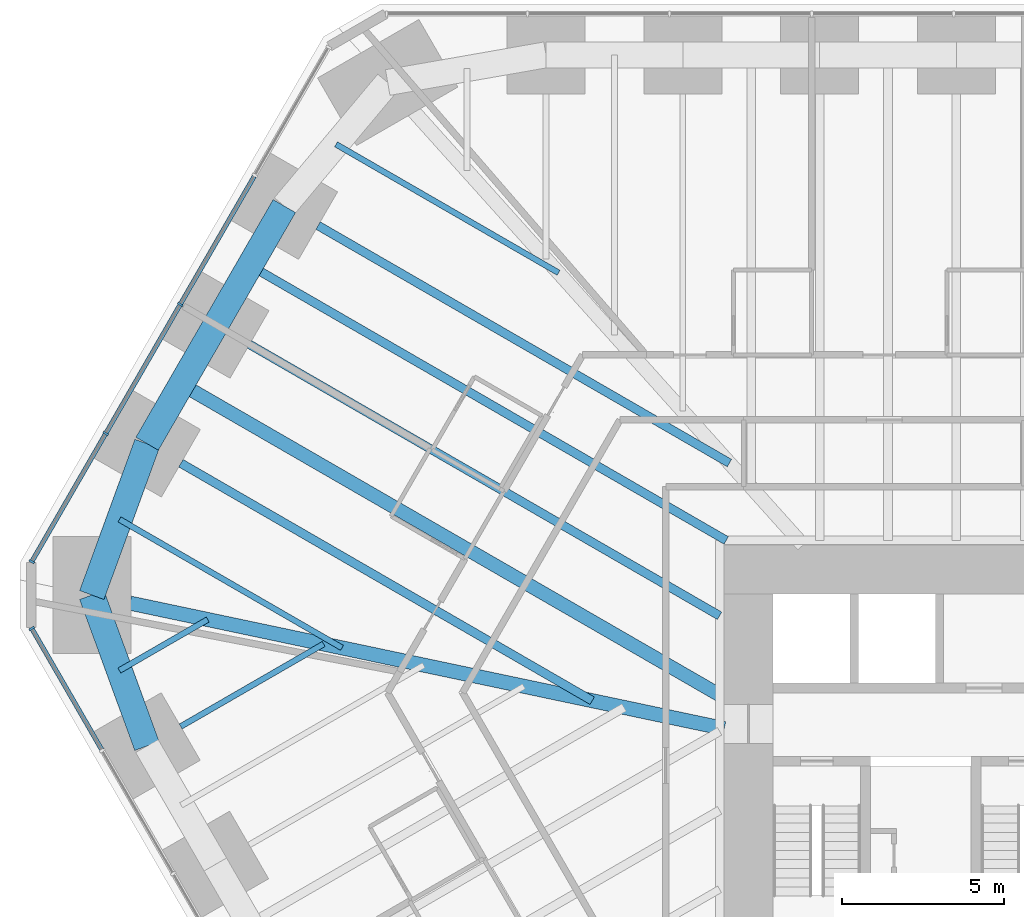
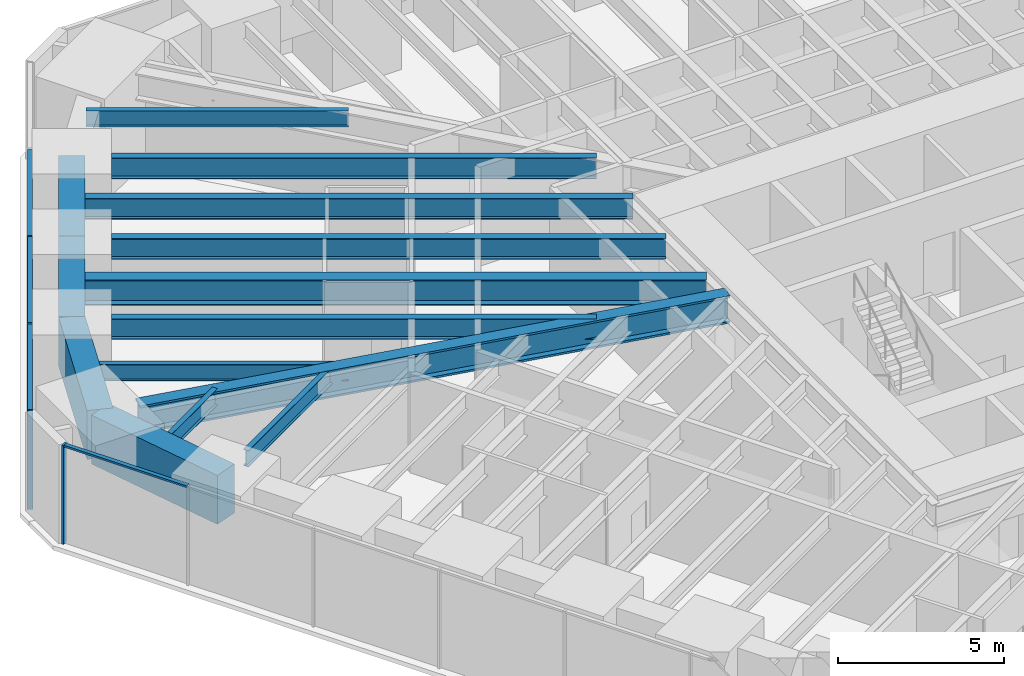
# One storey, part 7 of 17: 14 beams, 8 members, 2 elements without a shape of their own.
"""IFC4 building model written with IfcOpenShell, lengths in metres."""

from ifc_helpers import new_model, si_unit, direction, frame, origin, origin_2d, place, context, subcontext, project, spatial, rectangle, i_section, extrude, material, material_profile, profile_set, type_object, element, aggregate, save


model = new_model("IFC4")

# Units and contexts
model_context = context("Model", 3, precision=1e-05, world=origin(), true_north=direction((0.0, 1.0)))
body_context = subcontext(model_context, "Body", "Model", "MODEL_VIEW")
ifc_project = project(units=[si_unit("LENGTHUNIT", "METRE"), si_unit("AREAUNIT", "SQUARE_METRE"), si_unit("VOLUMEUNIT", "CUBIC_METRE"), si_unit("PLANEANGLEUNIT", "RADIAN"), si_unit("MASSUNIT", "GRAM", prefix="KILO")], contexts=[model_context])

# Site, building, storey
site_placement = place(None, origin())
site = spatial("IfcSite", under=ifc_project, at=site_placement, CompositionType="ELEMENT")
building_placement = place(site_placement, origin())
building = spatial("IfcBuilding", under=site, at=building_placement, Name="Sandreach Pilgrim Tower", CompositionType="ELEMENT")
storey_placement = place(building_placement, frame((0.0, 0.0, 45.800048828125)))
storey = spatial("IfcBuildingStorey", under=building, at=storey_placement, Name="L10", CompositionType="ELEMENT", Elevation=45.800048828125)

# Curtain wall, member
ifc_material_1 = material(Name="Aluminium framed curtain wall", Category="aluminium")
curtain_wall_type = type_object("IfcCurtainWallType", Name="Hostel tower curtain wall", PredefinedType="NOTDEFINED", material=ifc_material_1)
curtain_wall_1_placement = place(storey_placement, origin())
curtain_wall_1 = element("IfcCurtainWall", 1, at=curtain_wall_1_placement, inside=storey, type_object=curtain_wall_type, Name="CW-1 L10 SW", PredefinedType="NOTDEFINED")
ifc_material_2 = material(Name="Aluminium extrusion", Category="aluminium")
ifc_material_profile_1 = material_profile(ifc_material_2, rectangle(XDim=0.06494140625, YDim=0.179931640625, at=origin_2d()), Name="CW-1M 65X180")
ifc_profile_set_1 = profile_set([ifc_material_profile_1], Name="Aluminium extrusion")
member_type_1 = type_object("IfcMemberType", Name="CW-1 mullion", PredefinedType="MULLION", material=ifc_profile_set_1)
member_1_placement = place(storey_placement, frame((-30.56005859375, 5.033935546875, 0.0), z_axis=(0.0, 0.0, 1.0), x_axis=(-0.5, 0.866025403784, 0.0)))
member_1 = element("IfcMember", 2, at=member_1_placement, type_object=member_type_1, Name="CW-1 mullion 10", PredefinedType="MULLION", context=body_context, shape_type="SweptSolid", body=[
    extrude(rectangle(XDim=0.06494140625, YDim=0.179931640625, at=origin_2d()), origin(), (0.0, 0.0, 1.0), 3.639892578125),
])

# Curtain wall, members
curtain_wall_2_placement = place(storey_placement, origin())
curtain_wall_2 = element("IfcCurtainWall", 3, at=curtain_wall_2_placement, inside=storey, type_object=curtain_wall_type, Name="CW-1 L10 NW", PredefinedType="NOTDEFINED")
member_2_placement = place(storey_placement, frame((-30.56005859375, 7.09033203125, 0.0), z_axis=(0.0, 0.0, 1.0), x_axis=(0.5, 0.866025403784, 0.0)))
member_2 = element("IfcMember", 4, at=member_2_placement, type_object=member_type_1, Name="CW-1 mullion 1", PredefinedType="MULLION", context=body_context, shape_type="SweptSolid", body=[
    extrude(rectangle(XDim=0.06494140625, YDim=0.179931640625, at=origin_2d()), origin(), (0.0, 0.0, 1.0), 3.639892578125),
])
member_3_placement = place(storey_placement, frame((-28.283203125, 11.03369140625, 0.0), z_axis=(0.0, 0.0, 1.0), x_axis=(0.5, 0.866025403784, 0.0)))
member_3 = element("IfcMember", 5, at=member_3_placement, type_object=member_type_1, Name="CW-1 mullion 2", PredefinedType="MULLION", context=body_context, shape_type="SweptSolid", body=[
    extrude(rectangle(XDim=0.06494140625, YDim=0.179931640625, at=origin_2d()), origin(), (0.0, 0.0, 1.0), 3.639892578125),
])
member_4_placement = place(storey_placement, frame((-25.990234375, 15.00537109375, 0.0), z_axis=(0.0, 0.0, 1.0), x_axis=(0.5, 0.866025403784, 0.0)))
member_4 = element("IfcMember", 6, at=member_4_placement, type_object=member_type_1, Name="CW-1 mullion 3", PredefinedType="MULLION", context=body_context, shape_type="SweptSolid", body=[
    extrude(rectangle(XDim=0.06494140625, YDim=0.179931640625, at=origin_2d()), origin(), (0.0, 0.0, 1.0), 3.639892578125),
])

# Member
ifc_material_3 = material(Name="Aluminium extrusion", Category="aluminium")
ifc_material_profile_2 = material_profile(ifc_material_3, rectangle(XDim=0.139892578125, YDim=0.070068359375, at=origin_2d()), Name="CW-1T 140X70")
ifc_profile_set_2 = profile_set([ifc_material_profile_2], Name="Aluminium extrusion")
member_type_2 = type_object("IfcMemberType", Name="CW-1 transom", PredefinedType="USERDEFINED", material=ifc_profile_set_2)
member_5_placement = place(storey_placement, frame((-28.40673828125, 1.304443359375, 3.60498046875), z_axis=(-0.499991113271, 0.866030534479, 0.0), x_axis=(-0.866030534479, -0.499991113271, 0.0)))
member_5 = element("IfcMember", 7, at=member_5_placement, type_object=member_type_2, Name="CW-1 head transom 9", ObjectType="TRANSOM", PredefinedType="USERDEFINED", context=body_context, shape_type="SweptSolid", body=[
    extrude(rectangle(XDim=0.139892578125, YDim=0.070068359375, at=origin_2d()), origin(), (0.0, 0.0, 1.0), 4.27392578125),
])

aggregate(curtain_wall_1, [member_1, member_5])

member_6_placement = place(storey_placement, frame((-30.543701171875, 7.118408203125, 3.60498046875), z_axis=(0.499976706761, 0.866038851724, 0.0), x_axis=(-0.866038851724, 0.499976706761, 0.0)))
member_6 = element("IfcMember", 8, at=member_6_placement, type_object=member_type_2, Name="CW-1 head transom 1", ObjectType="TRANSOM", PredefinedType="USERDEFINED", context=body_context, shape_type="SweptSolid", body=[
    extrude(rectangle(XDim=0.139892578125, YDim=0.070068359375, at=origin_2d()), origin(), (0.0, 0.0, 1.0), 4.488525390625),
])

member_7_placement = place(storey_placement, frame((-28.266845703125, 11.06201171875, 3.60498046875), z_axis=(0.500001366228, 0.866024614991, 0.0), x_axis=(-0.866024614991, 0.500001366228, 0.0)))
member_7 = element("IfcMember", 9, at=member_7_placement, type_object=member_type_2, Name="CW-1 head transom 2", ObjectType="TRANSOM", PredefinedType="USERDEFINED", context=body_context, shape_type="SweptSolid", body=[
    extrude(rectangle(XDim=0.139892578125, YDim=0.070068359375, at=origin_2d()), origin(), (0.0, 0.0, 1.0), 4.52099609375),
])

member_8_placement = place(storey_placement, frame((-25.973876953125, 15.03369140625, 3.60498046875), z_axis=(0.500001366228, 0.866024614991, 0.0), x_axis=(-0.866024614991, 0.500001366228, 0.0)))
member_8 = element("IfcMember", 10, at=member_8_placement, type_object=member_type_2, Name="CW-1 head transom 3", ObjectType="TRANSOM", PredefinedType="USERDEFINED", context=body_context, shape_type="SweptSolid", body=[
    extrude(rectangle(XDim=0.139892578125, YDim=0.070068359375, at=origin_2d()), origin(), (0.0, 0.0, 1.0), 4.52099609375),
])

aggregate(curtain_wall_2, [member_2, member_3, member_4, member_6, member_7, member_8])

# Beams
ifc_material_4 = material(Name="Steel ASTM A992 Grade 50", Category="steel")
ifc_material_profile_3 = material_profile(ifc_material_4, i_section(OverallWidth=0.436767578125, OverallDepth=1.010986328125, WebThickness=0.040771484375, FlangeThickness=0.073974609375, at=origin_2d()), Name="W36X529")
ifc_profile_set_3 = profile_set([ifc_material_profile_3], Name="Steel ASTM A992 Grade 50")
beam_type_1 = type_object("IfcBeamType", Name="Corner girder W36X529", PredefinedType="BEAM", material=ifc_profile_set_3)
beam_1_placement = place(storey_placement, frame((-27.53857421875, 5.814208984375, 3.134521484375), z_axis=(0.978429884383, -0.206579189045, 0.0), x_axis=(0.206579189045, 0.978429884383, 0.0)))
element("IfcBeam", 11, at=beam_1_placement, inside=storey, type_object=beam_type_1, Name="BM L10 CG35", PredefinedType="BEAM", context=body_context, shape_type="SweptSolid", body=[
    extrude(i_section(OverallWidth=0.436767578125, OverallDepth=1.010986328125, WebThickness=0.040771484375, FlangeThickness=0.073974609375, at=origin_2d()), origin(), (0.0, 0.0, 1.0), 18.691650390625),
])
ifc_material_5 = material(Name="Steel ASTM A992 Grade 50", Category="steel")
ifc_material_profile_4 = material_profile(ifc_material_5, i_section(OverallWidth=0.1787109375, OverallDepth=0.60205078125, WebThickness=0.010986328125, FlangeThickness=0.014892578125, at=origin_2d()), Name="W24X62")
ifc_profile_set_4 = profile_set([ifc_material_profile_4], Name="Steel ASTM A992 Grade 50")
beam_type_2 = type_object("IfcBeamType", Name="Floor beam W24X62", PredefinedType="BEAM", material=ifc_profile_set_4)
beam_2_placement = place(storey_placement, frame((-25.97705078125, 2.016357421875, 3.3388671875), z_axis=(0.866027897259, 0.49999568115, 0.0), x_axis=(-0.49999568115, 0.866027897259, 0.0)))
element("IfcBeam", 12, at=beam_2_placement, inside=storey, type_object=beam_type_2, Name="BM L10 F34", PredefinedType="BEAM", context=body_context, shape_type="SweptSolid", body=[
    extrude(i_section(OverallWidth=0.1787109375, OverallDepth=0.60205078125, WebThickness=0.010986328125, FlangeThickness=0.014892578125, at=origin_2d()), origin(), (0.0, 0.0, 1.0), 5.0791015625),
])
beam_3_placement = place(storey_placement, frame((-27.864501953125, 3.7392578125, 3.3388671875), z_axis=(0.866023718453, 0.500002919068, 0.0), x_axis=(-0.500002919068, 0.866023718453, 0.0)))
element("IfcBeam", 13, at=beam_3_placement, inside=storey, type_object=beam_type_2, Name="BM L10 FM34", PredefinedType="BEAM", context=body_context, shape_type="SweptSolid", body=[
    extrude(i_section(OverallWidth=0.1787109375, OverallDepth=0.60205078125, WebThickness=0.010986328125, FlangeThickness=0.014892578125, at=origin_2d()), origin(), (0.0, 0.0, 1.0), 3.1396484375),
])
for number, where, z_axis, x_axis, name in (
    (14, (-27.861328125, 8.390380859375, 3.3388671875), (0.866028778003, -0.499994155636, 0.0), (0.499994155636, 0.866028778003, 0.0), "BM L10 FM35"),
    (15, (-21.197021484375, 19.933349609375, 3.3388671875), (0.866028778003, -0.499994155636, 0.0), (0.499994155636, 0.866028778003, 0.0), "BM L10 FM38"),
):
    element("IfcBeam", number, at=place(storey_placement, frame(where, z_axis=z_axis, x_axis=x_axis)), inside=storey, type_object=beam_type_2, Name=name, PredefinedType="BEAM", context=body_context, shape_type="SweptSolid", body=[
        extrude(i_section(OverallWidth=0.1787109375, OverallDepth=0.60205078125, WebThickness=0.010986328125, FlangeThickness=0.014892578125, at=origin_2d()), origin(), (0.0, 0.0, 1.0), 7.90771484375),
    ])
ifc_material_6 = material(Name="Steel ASTM A992 Grade 50", Category="steel")
ifc_material_profile_5 = material_profile(ifc_material_6, i_section(OverallWidth=0.2666015625, OverallDepth=0.761962890625, WebThickness=0.014404296875, FlangeThickness=0.021484375, at=origin_2d()), Name="W30X116")
ifc_profile_set_5 = profile_set([ifc_material_profile_5], Name="Steel ASTM A992 Grade 50")
beam_type_3 = type_object("IfcBeamType", Name="Floor beam W30X116", PredefinedType="BEAM", material=ifc_profile_set_5)
for number, where, z_axis, x_axis, name in (
    (16, (-25.970947265625, 10.118896484375, 3.259033203125), (0.866020355572, -0.500008743658, 0.0), (0.500008743658, 0.866020355572, 0.0), "BM L10 F36"),
    (17, (-21.74853515625, 17.43212890625, 3.259033203125), (0.866020355572, -0.500008743658, 0.0), (0.500008743658, 0.866020355572, 0.0), "BM L10 F38"),
):
    element("IfcBeam", number, at=place(storey_placement, frame(where, z_axis=z_axis, x_axis=x_axis)), inside=storey, type_object=beam_type_3, Name=name, PredefinedType="BEAM", context=body_context, shape_type="SweptSolid", body=[
        extrude(i_section(OverallWidth=0.2666015625, OverallDepth=0.761962890625, WebThickness=0.014404296875, FlangeThickness=0.021484375, at=origin_2d()), origin(), (0.0, 0.0, 1.0), 14.615966796875),
    ])
ifc_material_7 = material(Name="Steel ASTM A992 Grade 50", Category="steel")
ifc_material_profile_6 = material_profile(ifc_material_7, i_section(OverallWidth=0.2666015625, OverallDepth=0.77978515625, WebThickness=0.0166015625, FlangeThickness=0.030029296875, at=origin_2d()), Name="W30X148")
ifc_profile_set_6 = profile_set([ifc_material_profile_6], Name="Steel ASTM A992 Grade 50")
beam_type_4 = type_object("IfcBeamType", Name="Floor beam W30X148", PredefinedType="BEAM", material=ifc_profile_set_6)
beam_4_placement = place(storey_placement, frame((-23.85986328125, 13.775390625, 3.25), z_axis=(0.866031037473, -0.499990242038, 0.0), x_axis=(0.499990242038, 0.866031037473, 0.0)))
element("IfcBeam", 18, at=beam_4_placement, inside=storey, type_object=beam_type_4, Name="BM L10 F37", PredefinedType="BEAM", context=body_context, shape_type="SweptSolid", body=[
    extrude(i_section(OverallWidth=0.2666015625, OverallDepth=0.77978515625, WebThickness=0.0166015625, FlangeThickness=0.030029296875, at=origin_2d()), origin(), (0.0, 0.0, 1.0), 16.704345703125),
])
beam_5_placement = place(storey_placement, frame((-23.843505859375, 16.203857421875, 3.25), z_axis=(0.866027248123, -0.499996805499, 0.0), x_axis=(0.499996805499, 0.866027248123, 0.0)))
element("IfcBeam", 19, at=beam_5_placement, inside=storey, type_object=beam_type_4, Name="BM L10 FM37", PredefinedType="BEAM", context=body_context, shape_type="SweptSolid", body=[
    extrude(i_section(OverallWidth=0.2666015625, OverallDepth=0.77978515625, WebThickness=0.0166015625, FlangeThickness=0.030029296875, at=origin_2d()), origin(), (0.0, 0.0, 1.0), 16.9208984375),
])
ifc_material_8 = material(Name="Steel ASTM A992 Grade 50", Category="steel")
ifc_material_profile_7 = material_profile(ifc_material_8, i_section(OverallWidth=0.419189453125, OverallDepth=0.927001953125, WebThickness=0.019287109375, FlangeThickness=0.031982421875, at=origin_2d()), Name="W36X231")
ifc_profile_set_7 = profile_set([ifc_material_profile_7], Name="Steel ASTM A992 Grade 50")
beam_type_5 = type_object("IfcBeamType", Name="Floor beam W36X231", PredefinedType="BEAM", material=ifc_profile_set_7)
beam_6_placement = place(storey_placement, frame((-25.95458984375, 12.547119140625, 3.176513671875), z_axis=(0.866028474707, -0.499994680968, 0.0), x_axis=(0.499994680968, 0.866028474707, 0.0)))
element("IfcBeam", 20, at=beam_6_placement, inside=storey, type_object=beam_type_5, Name="BM L10 FM36", PredefinedType="BEAM", context=body_context, shape_type="SweptSolid", body=[
    extrude(i_section(OverallWidth=0.419189453125, OverallDepth=0.927001953125, WebThickness=0.019287109375, FlangeThickness=0.031982421875, at=origin_2d()), origin(), (0.0, 0.0, 1.0), 19.123291015625),
])
ifc_material_9 = material(Name="Concrete 10000 psi", Category="concrete")
ifc_material_profile_8 = material_profile(ifc_material_9, rectangle(XDim=0.800048828125, YDim=1.800048828125, at=origin_2d()), Name="RC800X1800")
ifc_profile_set_8 = profile_set([ifc_material_profile_8], Name="Concrete 10000 psi")
beam_type_6 = type_object("IfcBeamType", Name="Spandrel beam RC800X1800", PredefinedType="SPANDREL", material=ifc_profile_set_8)
beam_7_placement = place(storey_placement, frame((-27.016357421875, 1.416259765625, 2.739990234375), z_axis=(-0.342963480301, 0.939348737786, 0.0), x_axis=(-0.939348737786, -0.342963480301, 0.0)))
element("IfcBeam", 21, at=beam_7_placement, inside=storey, type_object=beam_type_6, Name="BM L10 SP34", PredefinedType="SPANDREL", context=body_context, shape_type="SweptSolid", body=[
    extrude(rectangle(XDim=0.800048828125, YDim=1.800048828125, at=origin_2d()), origin(), (0.0, 0.0, 1.0), 4.946044921875),
])
beam_8_placement = place(storey_placement, frame((-28.712646484375, 6.062255859375, 2.739990234375), z_axis=(0.343367552823, 0.939201109278, 0.0), x_axis=(-0.939201109278, 0.343367552823, 0.0)))
element("IfcBeam", 22, at=beam_8_placement, inside=storey, type_object=beam_type_6, Name="BM L10 SP35", PredefinedType="SPANDREL", context=body_context, shape_type="SweptSolid", body=[
    extrude(rectangle(XDim=0.800048828125, YDim=1.800048828125, at=origin_2d()), origin(), (0.0, 0.0, 1.0), 4.9580078125),
])
beam_9_placement = place(storey_placement, frame((-27.01025390625, 10.71875, 2.739990234375), z_axis=(0.500019412692, 0.866014195571, 0.0), x_axis=(-0.866014195571, 0.500019412692, 0.0)))
element("IfcBeam", 23, at=beam_9_placement, inside=storey, type_object=beam_type_6, Name="BM L10 SP36", PredefinedType="SPANDREL", context=body_context, shape_type="SweptSolid", body=[
    extrude(rectangle(XDim=0.800048828125, YDim=1.800048828125, at=origin_2d()), origin(), (0.0, 0.0, 1.0), 4.222412109375),
])
beam_10_placement = place(storey_placement, frame((-24.89892578125, 14.37548828125, 2.739990234375), z_axis=(0.500001084989, 0.866024777365, 0.0), x_axis=(-0.866024777365, 0.500001084989, 0.0)))
element("IfcBeam", 24, at=beam_10_placement, inside=storey, type_object=beam_type_6, Name="BM L10 SP37", PredefinedType="SPANDREL", context=body_context, shape_type="SweptSolid", body=[
    extrude(rectangle(XDim=0.800048828125, YDim=1.800048828125, at=origin_2d()), origin(), (0.0, 0.0, 1.0), 4.22216796875),
])

save(model, "model.ifc")
